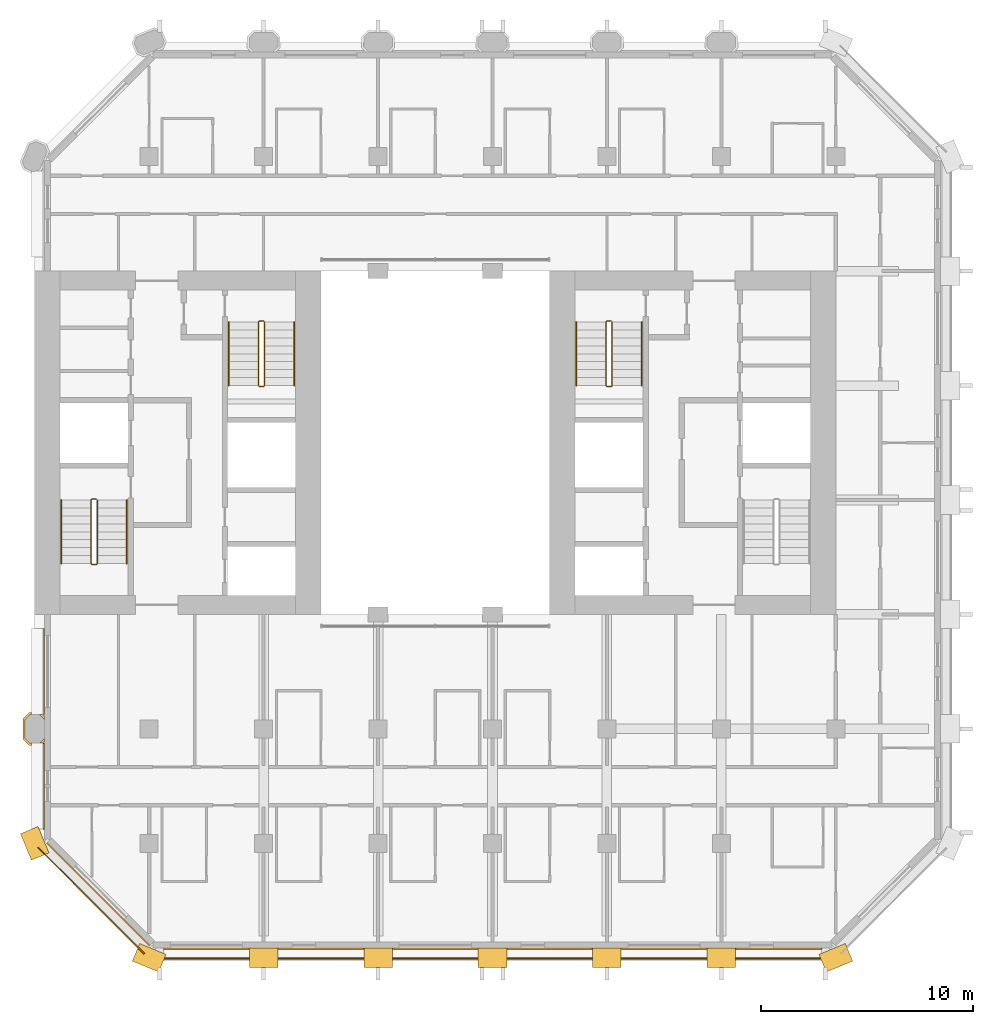
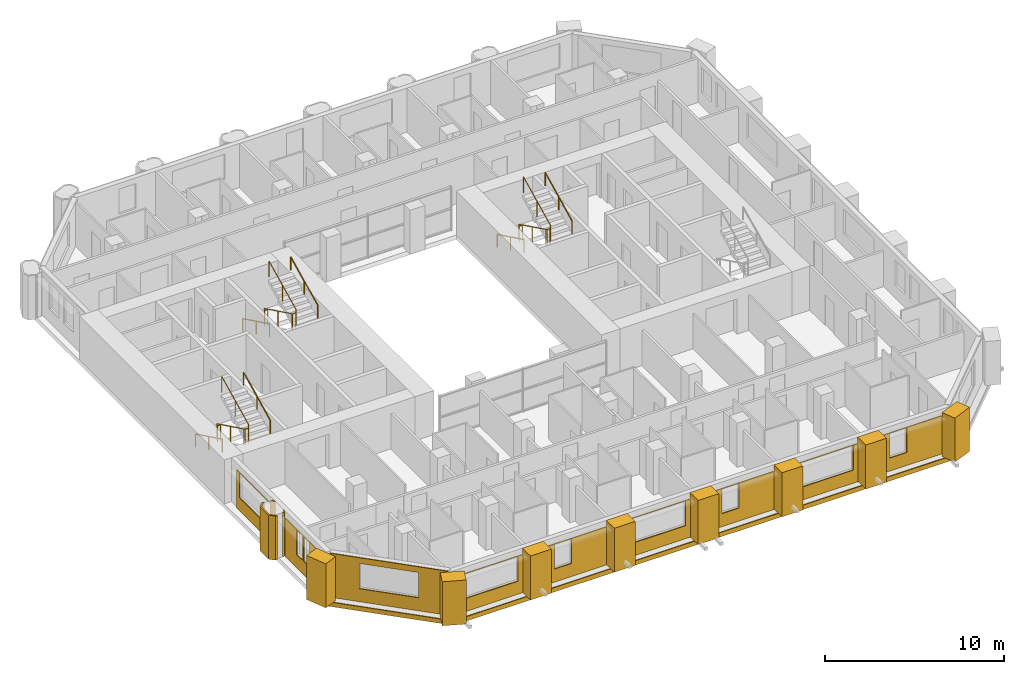
# One storey, part 12 of 13: 22 coverings, 9 railings.
"""IFC4 building model written with IfcOpenShell, lengths in metres."""

from ifc_helpers import new_model, si_unit, direction, frame, frame_2d, origin, origin_2d, place, context, subcontext, project, spatial, polyline, rectangle, circle, outline, extrude, material, layer, layer_set, type_object, element, save


model = new_model("IFC4")

# Units and contexts
model_context = context("Model", 3, precision=1e-05, world=origin(), true_north=direction((0.0, 1.0)))
body_context = subcontext(model_context, "Body", "Model", "MODEL_VIEW")
ifc_project = project(units=[si_unit("LENGTHUNIT", "METRE"), si_unit("AREAUNIT", "SQUARE_METRE"), si_unit("VOLUMEUNIT", "CUBIC_METRE"), si_unit("PLANEANGLEUNIT", "RADIAN"), si_unit("MASSUNIT", "GRAM", prefix="KILO")], contexts=[model_context])

# Site, building, storey
site_placement = place(None, origin())
site = spatial("IfcSite", under=ifc_project, at=site_placement, CompositionType="ELEMENT")
building_placement = place(site_placement, origin())
building = spatial("IfcBuilding", under=site, at=building_placement, Name="Tabaq Tower and Sports Hall", CompositionType="ELEMENT")
storey_placement = place(building_placement, frame((0.0, 0.0, 159.39990234375)))
storey = spatial("IfcBuildingStorey", under=building, at=storey_placement, Name="L37", CompositionType="ELEMENT", Elevation=159.39990234375)

# Coverings
ifc_material_1 = material(Name="Precast concrete C60/75", Category="concrete")
ifc_layer_1 = layer(ifc_material_1, 0.10009765625)
ifc_layer_set_1 = layer_set([ifc_layer_1], Name="Column cladding 100")
covering_type_1 = type_object("IfcCoveringType", Name="Column cladding 100", PredefinedType="CLADDING", material=ifc_layer_set_1)
covering_1_placement = place(storey_placement, origin())
element("IfcCovering", 1, at=covering_1_placement, inside=storey, type_object=covering_type_1, Name="Column cladding L37 PC-2C-H1", PredefinedType="CLADDING", context=body_context, shape_type="SweptSolid", body=[
    extrude(outline(polyline([(5.1337890625, 10.025390625), (4.850341796875, 10.30859375), (4.850341796875, 11.291259765625), (5.1337890625, 11.57470703125), (5.249755859375, 11.57470703125), (5.249755859375, 11.475341796875), (5.1748046875, 11.475341796875), (4.94970703125, 11.250244140625), (4.94970703125, 10.349853515625), (5.1748046875, 10.124755859375), (5.249755859375, 10.124755859375), (5.249755859375, 10.025390625), (5.1337890625, 10.025390625)])), origin(), (0.0, 0.0, 1.0), 3.0),
])
covering_2_placement = place(storey_placement, origin())
element("IfcCovering", 2, at=covering_2_placement, inside=storey, type_object=covering_type_1, Name="Column cladding L37 PC-2C-H1 2", PredefinedType="CLADDING", context=body_context, shape_type="SweptSolid", body=[
    extrude(outline(polyline([(5.766357421875, 10.125244140625), (5.625732421875, 10.125244140625), (5.849609375, 10.349365234375), (5.849609375, 10.208740234375), (5.766357421875, 10.125244140625)])), origin(), (0.0, 0.0, 1.0), 3.0),
])
covering_3_placement = place(storey_placement, origin())
element("IfcCovering", 3, at=covering_3_placement, inside=storey, type_object=covering_type_1, Name="Column cladding L37 PC-2C-H1 3", PredefinedType="CLADDING", context=body_context, shape_type="SweptSolid", body=[
    extrude(outline(polyline([(5.849609375, 11.391357421875), (5.849609375, 11.250732421875), (5.625732421875, 11.474609375), (5.766357421875, 11.474609375), (5.849609375, 11.391357421875)])), origin(), (0.0, 0.0, 1.0), 3.0),
])
ifc_material_2 = material(Name="Precast concrete C60/75", Category="concrete")
ifc_layer_2 = layer(ifc_material_2, 0.06005859375)
ifc_layer_set_2 = layer_set([ifc_layer_2], Name="Edge beam cladding 60")
covering_type_2 = type_object("IfcCoveringType", Name="Edge beam cladding 60", PredefinedType="CLADDING", material=ifc_layer_set_2)
covering_4_placement = place(storey_placement, frame((11.0986328125, -0.030029296875, -0.2998046875), z_axis=(0.0, 0.0, 1.0), x_axis=(1.0, 0.0, 0.0)))
element("IfcCovering", 4, at=covering_4_placement, inside=storey, type_object=covering_type_2, Name="Edge beam cladding L37 1", PredefinedType="CLADDING", context=body_context, shape_type="SweptSolid", body=[
    extrude(rectangle(XDim=31.802734375, YDim=0.06005859375, at=frame_2d((15.9013671875, 0.0))), origin(), (0.0, 0.0, 1.0), 0.2998046875),
])
covering_5_placement = place(storey_placement, frame((5.5556640625, 5.201904296875, -0.2998046875), z_axis=(0.0, 0.0, 1.0), x_axis=(0.707106781187, -0.707106781187, 0.0)))
element("IfcCovering", 5, at=covering_5_placement, inside=storey, type_object=covering_type_2, Name="Edge beam cladding L37 5", PredefinedType="CLADDING", context=body_context, shape_type="SweptSolid", body=[
    extrude(rectangle(XDim=7.087890625, YDim=0.06005859375, at=frame_2d((3.5439453125, 0.0))), origin(), (0.0, 0.0, 1.0), 0.2998046875),
])
ifc_material_3 = material(Name="White precast concrete C60/75", Category="concrete")
covering_type_3 = type_object("IfcCoveringType", Name="Pier cladding hung 1350x900", PredefinedType="CLADDING", material=ifc_material_3)
for number, where, z_axis, x_axis, name in (
    (6, (5.1416015625, 6.023681640625, 0.0), (0.0, 0.0, 1.0), (0.382649923473, -0.923893411637, 0.0), "Hung pier cladding 1/1"),
    (7, (10.17626953125, 0.25830078125, 0.0), (0.0, 0.0, 1.0), (0.923893411637, -0.382649923473, 0.0), "Hung pier cladding 2/0"),
    (8, (15.52490234375, 0.0, 0.0), (0.0, 0.0, 1.0), (1.0, 0.0, 0.0), "Hung pier cladding 3/0"),
):
    element("IfcCovering", number, at=place(storey_placement, frame(where, z_axis=z_axis, x_axis=x_axis)), inside=storey, type_object=covering_type_3, Name=name, PredefinedType="CLADDING", context=body_context, shape_type="SweptSolid", body=[
        extrude(rectangle(XDim=1.35009765625, YDim=0.89990234375, at=frame_2d((0.675048828125, 0.0))), origin(), (0.0, 0.0, 1.0), 3.0),
    ])
covering_6_placement = place(storey_placement, frame((20.925048828125, 0.0, 0.0), z_axis=(0.0, 0.0, 1.0), x_axis=(1.0, 0.0, 0.0)))
element("IfcCovering", 9, at=covering_6_placement, inside=storey, type_object=covering_type_3, Name="Hung pier cladding 4/0", PredefinedType="CLADDING", context=body_context, shape_type="SweptSolid", body=[
    extrude(rectangle(XDim=1.349853515625, YDim=0.89990234375, at=frame_2d((0.6748046875, 0.0))), origin(), (0.0, 0.0, 1.0), 3.0),
])
covering_7_placement = place(storey_placement, frame((26.324951171875, 0.0, 0.0), z_axis=(0.0, 0.0, 1.0), x_axis=(1.0, 0.0, 0.0)))
element("IfcCovering", 10, at=covering_7_placement, inside=storey, type_object=covering_type_3, Name="Hung pier cladding 5/0", PredefinedType="CLADDING", context=body_context, shape_type="SweptSolid", body=[
    extrude(rectangle(XDim=1.35009765625, YDim=0.89990234375, at=frame_2d((0.675048828125, 0.0))), origin(), (0.0, 0.0, 1.0), 3.0),
])
covering_8_placement = place(storey_placement, frame((31.72509765625, 0.0, 0.0), z_axis=(0.0, 0.0, 1.0), x_axis=(1.0, 0.0, 0.0)))
element("IfcCovering", 11, at=covering_8_placement, inside=storey, type_object=covering_type_3, Name="Hung pier cladding 6/0", PredefinedType="CLADDING", context=body_context, shape_type="SweptSolid", body=[
    extrude(rectangle(XDim=1.349853515625, YDim=0.89990234375, at=frame_2d((0.6748046875, 0.0))), origin(), (0.0, 0.0, 1.0), 3.0),
])
for number, where, z_axis, x_axis, name in (
    (12, (37.125, 0.0, 0.0), (0.0, 0.0, 1.0), (1.0, 0.0, 0.0), "Hung pier cladding 7/0"),
    (13, (42.576416015625, -0.25830078125, 0.0), (0.0, 0.0, 1.0), (0.923893411637, 0.382649923473, 0.0), "Hung pier cladding 8/0"),
):
    element("IfcCovering", number, at=place(storey_placement, frame(where, z_axis=z_axis, x_axis=x_axis)), inside=storey, type_object=covering_type_3, Name=name, PredefinedType="CLADDING", context=body_context, shape_type="SweptSolid", body=[
        extrude(rectangle(XDim=1.35009765625, YDim=0.89990234375, at=frame_2d((0.675048828125, 0.0))), origin(), (0.0, 0.0, 1.0), 3.0),
    ])

# Railings
ifc_material_4 = material(Name="Stainless steel", Category="steel")
railing_type_1 = type_object("IfcRailingType", Name="Stair guard", PredefinedType="GUARDRAIL", material=ifc_material_4)
railing_1_placement = place(storey_placement, frame((8.300048828125, 21.64990234375, 0.0)))
element("IfcRailing", 14, at=railing_1_placement, inside=storey, type_object=railing_type_1, Name="L37 ST1 stair guard 1", PredefinedType="GUARDRAIL", context=body_context, shape_type="SweptSolid", body=[
    extrude(circle(Radius=0.02392578125, at=origin_2d()), frame((0.0, 0.0, 1.076171875), z_axis=(-1.0, 0.0, 0.0), x_axis=(0.0, -1.0, 0.0)), (0.0, 0.0, 1.0), 0.199951171875),
    extrude(circle(Radius=0.02392578125, at=origin_2d()), frame((-0.199951171875, 0.0, 1.076171875), z_axis=(-0.254733673405, -0.25349107012, 0.933195066962), x_axis=(0.705375805398, -0.708833529934, 0.0)), (0.0, 0.0, 1.0), 0.196533203125),
    extrude(circle(Radius=0.02392578125, at=origin_2d()), frame((-0.25, -0.0498046875, 1.25927734375), z_axis=(0.0, -0.898368975038, 0.439241601728), x_axis=(1.0, 0.0, 0.0)), (0.0, 0.0, 1.0), 3.33935546875),
    extrude(circle(Radius=0.02392578125, at=origin_2d()), frame((-0.25, -3.0498046875, 2.72607421875), z_axis=(0.707106781187, -0.707106781187, 0.0), x_axis=(0.707106781187, 0.707106781187, 0.0)), (0.0, 0.0, 1.0), 0.07080078125),
    extrude(circle(Radius=0.02392578125, at=origin_2d()), frame((-0.199951171875, -3.099853515625, 2.72607421875), z_axis=(1.0, 0.0, 0.0), x_axis=(0.0, 1.0, 0.0)), (0.0, 0.0, 1.0), 0.199951171875),
    extrude(circle(Radius=0.02392578125, at=origin_2d()), frame((0.0, -3.099853515625, 2.72607421875), z_axis=(0.254653276557, 0.254653276557, 0.932900539971), x_axis=(-0.707106781187, 0.707106781187, 0.0)), (0.0, 0.0, 1.0), 0.196533203125),
    extrude(circle(Radius=0.02392578125, at=origin_2d()), frame((0.050048828125, -3.0498046875, 2.90966796875), z_axis=(0.0, 0.898397823093, 0.439182594671), x_axis=(-1.0, 0.0, 0.0)), (0.0, 0.0, 1.0), 3.33935546875),
    extrude(circle(Radius=0.02099609375, at=origin_2d()), origin(), (0.0, 0.0, 1.0), 1.052001953125),
    extrude(circle(Radius=0.02099609375, at=origin_2d()), frame((-0.199951171875, 0.0, 0.0)), (0.0, 0.0, 1.0), 1.052001953125),
    extrude(circle(Radius=0.02099609375, at=origin_2d()), frame((-0.25, -0.0498046875, 0.183349609375)), (0.0, 0.0, 1.0), 1.052001953125),
    extrude(circle(Radius=0.02099609375, at=origin_2d()), frame((-0.25, -1.5498046875, 0.916748046875)), (0.0, 0.0, 1.0), 1.052001953125),
    extrude(circle(Radius=0.02099609375, at=origin_2d()), frame((-0.25, -3.0498046875, 1.650146484375)), (0.0, 0.0, 1.0), 1.052001953125),
    extrude(circle(Radius=0.02099609375, at=origin_2d()), frame((-0.199951171875, -3.099853515625, 1.650146484375)), (0.0, 0.0, 1.0), 1.052001953125),
    extrude(circle(Radius=0.02099609375, at=origin_2d()), frame((0.0, -3.099853515625, 1.650146484375)), (0.0, 0.0, 1.0), 1.052001953125),
    extrude(circle(Radius=0.02099609375, at=origin_2d()), frame((0.050048828125, -3.0498046875, 1.83349609375)), (0.0, 0.0, 1.0), 1.052001953125),
    extrude(circle(Radius=0.02099609375, at=origin_2d()), frame((0.050048828125, -1.5498046875, 2.56689453125)), (0.0, 0.0, 1.0), 1.052001953125),
    extrude(circle(Radius=0.02099609375, at=origin_2d()), frame((0.050048828125, -0.0498046875, 3.300048828125)), (0.0, 0.0, 1.0), 1.052001953125),
])
railing_2_placement = place(storey_placement, frame((16.199951171875, 30.050048828125, 0.0)))
element("IfcRailing", 15, at=railing_2_placement, inside=storey, type_object=railing_type_1, Name="L37 ST2 stair guard 1", PredefinedType="GUARDRAIL", context=body_context, shape_type="SweptSolid", body=[
    extrude(circle(Radius=0.02392578125, at=origin_2d()), frame((0.0, 0.0, 1.076171875), z_axis=(-1.0, 0.0, 0.0), x_axis=(0.0, -1.0, 0.0)), (0.0, 0.0, 1.0), 0.199951171875),
    extrude(circle(Radius=0.02392578125, at=origin_2d()), frame((-0.199951171875, 0.0, 1.076171875), z_axis=(-0.254653276557, -0.254653276557, 0.932900539971), x_axis=(0.707106781187, -0.707106781187, 0.0)), (0.0, 0.0, 1.0), 0.196533203125),
    extrude(circle(Radius=0.02392578125, at=origin_2d()), frame((-0.25, -0.050048828125, 1.25927734375), z_axis=(0.0, -0.898368975038, 0.439241601728), x_axis=(1.0, 0.0, 0.0)), (0.0, 0.0, 1.0), 3.33935546875),
    extrude(circle(Radius=0.02392578125, at=origin_2d()), frame((-0.25, -3.050048828125, 2.72607421875), z_axis=(0.707106781187, -0.707106781187, 0.0), x_axis=(0.707106781187, 0.707106781187, 0.0)), (0.0, 0.0, 1.0), 0.07080078125),
    extrude(circle(Radius=0.02392578125, at=origin_2d()), frame((-0.199951171875, -3.10009765625, 2.72607421875), z_axis=(1.0, 0.0, 0.0), x_axis=(0.0, 1.0, 0.0)), (0.0, 0.0, 1.0), 0.199951171875),
    extrude(circle(Radius=0.02392578125, at=origin_2d()), frame((0.0, -3.10009765625, 2.72607421875), z_axis=(0.254653276557, 0.254653276557, 0.932900539971), x_axis=(-0.707106781187, 0.707106781187, 0.0)), (0.0, 0.0, 1.0), 0.196533203125),
    extrude(circle(Radius=0.02392578125, at=origin_2d()), frame((0.050048828125, -3.050048828125, 2.90966796875), z_axis=(0.0, 0.898397823093, 0.439182594671), x_axis=(-1.0, 0.0, 0.0)), (0.0, 0.0, 1.0), 3.33935546875),
    extrude(circle(Radius=0.02099609375, at=origin_2d()), origin(), (0.0, 0.0, 1.0), 1.052001953125),
    extrude(circle(Radius=0.02099609375, at=origin_2d()), frame((-0.199951171875, 0.0, 0.0)), (0.0, 0.0, 1.0), 1.052001953125),
    extrude(circle(Radius=0.02099609375, at=origin_2d()), frame((-0.25, -0.050048828125, 0.183349609375)), (0.0, 0.0, 1.0), 1.052001953125),
    extrude(circle(Radius=0.02099609375, at=origin_2d()), frame((-0.25, -1.550048828125, 0.916748046875)), (0.0, 0.0, 1.0), 1.052001953125),
    extrude(circle(Radius=0.02099609375, at=origin_2d()), frame((-0.25, -3.050048828125, 1.650146484375)), (0.0, 0.0, 1.0), 1.052001953125),
    extrude(circle(Radius=0.02099609375, at=origin_2d()), frame((-0.199951171875, -3.10009765625, 1.650146484375)), (0.0, 0.0, 1.0), 1.052001953125),
    extrude(circle(Radius=0.02099609375, at=origin_2d()), frame((0.0, -3.10009765625, 1.650146484375)), (0.0, 0.0, 1.0), 1.052001953125),
    extrude(circle(Radius=0.02099609375, at=origin_2d()), frame((0.050048828125, -3.050048828125, 1.83349609375)), (0.0, 0.0, 1.0), 1.052001953125),
    extrude(circle(Radius=0.02099609375, at=origin_2d()), frame((0.050048828125, -1.550048828125, 2.56689453125)), (0.0, 0.0, 1.0), 1.052001953125),
    extrude(circle(Radius=0.02099609375, at=origin_2d()), frame((0.050048828125, -0.050048828125, 3.300048828125)), (0.0, 0.0, 1.0), 1.052001953125),
])
railing_3_placement = place(storey_placement, frame((32.60009765625, 30.050048828125, 0.0)))
element("IfcRailing", 16, at=railing_3_placement, inside=storey, type_object=railing_type_1, Name="L37 ST4 stair guard 1", PredefinedType="GUARDRAIL", context=body_context, shape_type="SweptSolid", body=[
    extrude(circle(Radius=0.02392578125, at=origin_2d()), frame((0.0, 0.0, 1.076171875), z_axis=(-1.0, 0.0, 0.0), x_axis=(0.0, -1.0, 0.0)), (0.0, 0.0, 1.0), 0.2001953125),
    extrude(circle(Radius=0.02392578125, at=origin_2d()), frame((-0.2001953125, 0.0, 1.076171875), z_axis=(-0.25349107012, -0.254733673405, 0.933195066962), x_axis=(0.708833529934, -0.705375805398, 0.0)), (0.0, 0.0, 1.0), 0.196533203125),
    extrude(circle(Radius=0.02392578125, at=origin_2d()), frame((-0.25, -0.050048828125, 1.25927734375), z_axis=(0.0, -0.898368975038, 0.439241601728), x_axis=(1.0, 0.0, 0.0)), (0.0, 0.0, 1.0), 3.33935546875),
    extrude(circle(Radius=0.02392578125, at=origin_2d()), frame((-0.25, -3.050048828125, 2.72607421875), z_axis=(0.705375805398, -0.708833529934, 0.0), x_axis=(0.708833529934, 0.705375805398, 0.0)), (0.0, 0.0, 1.0), 0.070556640625),
    extrude(circle(Radius=0.02392578125, at=origin_2d()), frame((-0.2001953125, -3.10009765625, 2.72607421875), z_axis=(1.0, 0.0, 0.0), x_axis=(0.0, 1.0, 0.0)), (0.0, 0.0, 1.0), 0.2001953125),
    extrude(circle(Radius=0.02392578125, at=origin_2d()), frame((0.0, -3.10009765625, 2.72607421875), z_axis=(0.25349107012, 0.254733673405, 0.933195066962), x_axis=(-0.708833529934, 0.705375805398, 0.0)), (0.0, 0.0, 1.0), 0.196533203125),
    extrude(circle(Radius=0.02392578125, at=origin_2d()), frame((0.0498046875, -3.050048828125, 2.90966796875), z_axis=(0.0, 0.898397823093, 0.439182594671), x_axis=(-1.0, 0.0, 0.0)), (0.0, 0.0, 1.0), 3.33935546875),
    extrude(circle(Radius=0.02099609375, at=origin_2d()), origin(), (0.0, 0.0, 1.0), 1.052001953125),
    extrude(circle(Radius=0.02099609375, at=origin_2d()), frame((-0.2001953125, 0.0, 0.0)), (0.0, 0.0, 1.0), 1.052001953125),
    extrude(circle(Radius=0.02099609375, at=origin_2d()), frame((-0.25, -0.050048828125, 0.183349609375)), (0.0, 0.0, 1.0), 1.052001953125),
    extrude(circle(Radius=0.02099609375, at=origin_2d()), frame((-0.25, -1.550048828125, 0.916748046875)), (0.0, 0.0, 1.0), 1.052001953125),
    extrude(circle(Radius=0.02099609375, at=origin_2d()), frame((-0.25, -3.050048828125, 1.650146484375)), (0.0, 0.0, 1.0), 1.052001953125),
    extrude(circle(Radius=0.02099609375, at=origin_2d()), frame((-0.2001953125, -3.10009765625, 1.650146484375)), (0.0, 0.0, 1.0), 1.052001953125),
    extrude(circle(Radius=0.02099609375, at=origin_2d()), frame((0.0, -3.10009765625, 1.650146484375)), (0.0, 0.0, 1.0), 1.052001953125),
    extrude(circle(Radius=0.02099609375, at=origin_2d()), frame((0.0498046875, -3.050048828125, 1.83349609375)), (0.0, 0.0, 1.0), 1.052001953125),
    extrude(circle(Radius=0.02099609375, at=origin_2d()), frame((0.0498046875, -1.550048828125, 2.56689453125)), (0.0, 0.0, 1.0), 1.052001953125),
    extrude(circle(Radius=0.02099609375, at=origin_2d()), frame((0.0498046875, -0.050048828125, 3.300048828125)), (0.0, 0.0, 1.0), 1.052001953125),
])
ifc_material_5 = material(Name="Stainless steel", Category="steel")
railing_type_2 = type_object("IfcRailingType", Name="Stair handrail", PredefinedType="HANDRAIL", material=ifc_material_5)
railing_4_placement = place(storey_placement, frame((6.64990234375, 21.60009765625, 0.183349609375)))
element("IfcRailing", 17, at=railing_4_placement, inside=storey, type_object=railing_type_2, Name="L37 ST1 stair handrail 1", PredefinedType="HANDRAIL", context=body_context, shape_type="SweptSolid", body=[
    extrude(circle(Radius=0.02392578125, at=origin_2d()), frame((0.0, 0.0, 0.8759765625), z_axis=(0.0, -0.898368975038, 0.439241601728), x_axis=(1.0, 0.0, 0.0)), (0.0, 0.0, 1.0), 3.33935546875),
    extrude(circle(Radius=0.02099609375, at=origin_2d()), origin(), (0.0, 0.0, 1.0), 0.851806640625),
    extrude(circle(Radius=0.02099609375, at=origin_2d()), frame((0.0, -1.5, 0.7333984375)), (0.0, 0.0, 1.0), 0.851806640625),
    extrude(circle(Radius=0.02099609375, at=origin_2d()), frame((0.0, -3.0, 1.466796875)), (0.0, 0.0, 1.0), 0.851806640625),
])
railing_5_placement = place(storey_placement, frame((9.75, 18.60009765625, 1.83349609375)))
element("IfcRailing", 18, at=railing_5_placement, inside=storey, type_object=railing_type_2, Name="L37 ST1 stair handrail 2", PredefinedType="HANDRAIL", context=body_context, shape_type="SweptSolid", body=[
    extrude(circle(Radius=0.02392578125, at=origin_2d()), frame((0.0, 0.0, 0.8759765625), z_axis=(0.0, 0.898397823093, 0.439182594671), x_axis=(-1.0, 0.0, 0.0)), (0.0, 0.0, 1.0), 3.33935546875),
    extrude(circle(Radius=0.02099609375, at=origin_2d()), origin(), (0.0, 0.0, 1.0), 0.851806640625),
    extrude(circle(Radius=0.02099609375, at=origin_2d()), frame((0.0, 1.5, 0.7333984375)), (0.0, 0.0, 1.0), 0.851806640625),
    extrude(circle(Radius=0.02099609375, at=origin_2d()), frame((0.0, 3.0, 1.466552734375)), (0.0, 0.0, 1.0), 0.851806640625),
])
railing_6_placement = place(storey_placement, frame((14.550048828125, 30.0, 0.183349609375)))
element("IfcRailing", 19, at=railing_6_placement, inside=storey, type_object=railing_type_2, Name="L37 ST2 stair handrail 1", PredefinedType="HANDRAIL", context=body_context, shape_type="SweptSolid", body=[
    extrude(circle(Radius=0.02392578125, at=origin_2d()), frame((0.0, 0.0, 0.8759765625), z_axis=(0.0, -0.898368975038, 0.439241601728), x_axis=(1.0, 0.0, 0.0)), (0.0, 0.0, 1.0), 3.33935546875),
    extrude(circle(Radius=0.02099609375, at=origin_2d()), origin(), (0.0, 0.0, 1.0), 0.851806640625),
    extrude(circle(Radius=0.02099609375, at=origin_2d()), frame((0.0, -1.5, 0.7333984375)), (0.0, 0.0, 1.0), 0.851806640625),
    extrude(circle(Radius=0.02099609375, at=origin_2d()), frame((0.0, -3.0, 1.466796875)), (0.0, 0.0, 1.0), 0.851806640625),
])
railing_7_placement = place(storey_placement, frame((17.64990234375, 27.0, 1.83349609375)))
element("IfcRailing", 20, at=railing_7_placement, inside=storey, type_object=railing_type_2, Name="L37 ST2 stair handrail 2", PredefinedType="HANDRAIL", context=body_context, shape_type="SweptSolid", body=[
    extrude(circle(Radius=0.02392578125, at=origin_2d()), frame((0.0, 0.0, 0.8759765625), z_axis=(0.0, 0.898397823093, 0.439182594671), x_axis=(-1.0, 0.0, 0.0)), (0.0, 0.0, 1.0), 3.33935546875),
    extrude(circle(Radius=0.02099609375, at=origin_2d()), origin(), (0.0, 0.0, 1.0), 0.851806640625),
    extrude(circle(Radius=0.02099609375, at=origin_2d()), frame((0.0, 1.5, 0.7333984375)), (0.0, 0.0, 1.0), 0.851806640625),
    extrude(circle(Radius=0.02099609375, at=origin_2d()), frame((0.0, 3.0, 1.466552734375)), (0.0, 0.0, 1.0), 0.851806640625),
])
railing_8_placement = place(storey_placement, frame((30.949951171875, 30.0, 0.183349609375)))
element("IfcRailing", 21, at=railing_8_placement, inside=storey, type_object=railing_type_2, Name="L37 ST4 stair handrail 1", PredefinedType="HANDRAIL", context=body_context, shape_type="SweptSolid", body=[
    extrude(circle(Radius=0.02392578125, at=origin_2d()), frame((0.0, 0.0, 0.8759765625), z_axis=(0.0, -0.898368975038, 0.439241601728), x_axis=(1.0, 0.0, 0.0)), (0.0, 0.0, 1.0), 3.33935546875),
    extrude(circle(Radius=0.02099609375, at=origin_2d()), origin(), (0.0, 0.0, 1.0), 0.851806640625),
    extrude(circle(Radius=0.02099609375, at=origin_2d()), frame((0.0, -1.5, 0.7333984375)), (0.0, 0.0, 1.0), 0.851806640625),
    extrude(circle(Radius=0.02099609375, at=origin_2d()), frame((0.0, -3.0, 1.466796875)), (0.0, 0.0, 1.0), 0.851806640625),
])
railing_9_placement = place(storey_placement, frame((34.050048828125, 27.0, 1.83349609375)))
element("IfcRailing", 22, at=railing_9_placement, inside=storey, type_object=railing_type_2, Name="L37 ST4 stair handrail 2", PredefinedType="HANDRAIL", context=body_context, shape_type="SweptSolid", body=[
    extrude(circle(Radius=0.02392578125, at=origin_2d()), frame((0.0, 0.0, 0.8759765625), z_axis=(0.0, 0.898397823093, 0.439182594671), x_axis=(-1.0, 0.0, 0.0)), (0.0, 0.0, 1.0), 3.33935546875),
    extrude(circle(Radius=0.02099609375, at=origin_2d()), origin(), (0.0, 0.0, 1.0), 0.851806640625),
    extrude(circle(Radius=0.02099609375, at=origin_2d()), frame((0.0, 1.5, 0.7333984375)), (0.0, 0.0, 1.0), 0.851806640625),
    extrude(circle(Radius=0.02099609375, at=origin_2d()), frame((0.0, 3.0, 1.466552734375)), (0.0, 0.0, 1.0), 0.851806640625),
])

# Coverings
ifc_material_6 = material(Name="Precast concrete C60/75", Category="concrete")
ifc_layer_3 = layer(ifc_material_6, 0.06005859375)
ifc_layer_set_3 = layer_set([ifc_layer_3], Name="White precast cladding panel 60 C60/75")
covering_type_4 = type_object("IfcCoveringType", Name="White precast cladding panel 60 C60/75", PredefinedType="CLADDING", material=ifc_layer_set_3)
covering_9_placement = place(storey_placement, frame((11.465087890625, 0.419921875, 0.0), z_axis=(0.0, 0.0, 1.0), x_axis=(1.0, 0.0, 0.0)))
element("IfcCovering", 23, at=covering_9_placement, inside=storey, type_object=covering_type_4, Name="White precast cladding panel L37 wall00", PredefinedType="CLADDING", context=body_context, shape_type="SweptSolid", body=[
    extrude(outline(polyline([(0.0, 0.0), (4.0498046875, 0.0), (4.0498046875, 2.590087890625), (0.0, 2.590087890625), (0.0, 0.0)]), holes=[polyline([(3.7451171875, 0.89013671875), (0.324951171875, 0.89013671875), (0.324951171875, 2.56005859375), (3.7451171875, 2.56005859375), (3.7451171875, 0.89013671875)])]), frame((0.0, 0.030029296875, 0.0), z_axis=(0.0, -1.0, 0.0), x_axis=(1.0, 0.0, 0.0)), (0.0, 0.0, 1.0), 0.06005859375),
])
covering_10_placement = place(storey_placement, frame((16.885009765625, 0.419921875, 0.0), z_axis=(0.0, 0.0, 1.0), x_axis=(1.0, 0.0, 0.0)))
element("IfcCovering", 24, at=covering_10_placement, inside=storey, type_object=covering_type_4, Name="White precast cladding panel L37 wall00 2", PredefinedType="CLADDING", context=body_context, shape_type="SweptSolid", body=[
    extrude(outline(polyline([(0.0, 0.0), (4.030029296875, 0.0), (4.030029296875, 2.590087890625), (0.0, 2.590087890625), (0.0, 0.0)]), holes=[polyline([(1.77490234375, 0.89013671875), (0.655029296875, 0.89013671875), (0.655029296875, 2.56005859375), (1.77490234375, 2.56005859375), (1.77490234375, 0.89013671875)])]), frame((0.0, 0.030029296875, 0.0), z_axis=(0.0, -1.0, 0.0), x_axis=(1.0, 0.0, 0.0)), (0.0, 0.0, 1.0), 0.06005859375),
])
covering_11_placement = place(storey_placement, frame((22.284912109375, 0.419921875, 0.0), z_axis=(0.0, 0.0, 1.0), x_axis=(1.0, 0.0, 0.0)))
element("IfcCovering", 25, at=covering_11_placement, inside=storey, type_object=covering_type_4, Name="White precast cladding panel L37 wall00 3", PredefinedType="CLADDING", context=body_context, shape_type="SweptSolid", body=[
    extrude(outline(polyline([(0.0, 0.0), (4.030029296875, 0.0), (4.030029296875, 2.590087890625), (0.0, 2.590087890625), (0.0, 0.0)]), holes=[polyline([(3.72509765625, 0.89013671875), (0.304931640625, 0.89013671875), (0.304931640625, 2.56005859375), (3.72509765625, 2.56005859375), (3.72509765625, 0.89013671875)])]), frame((0.0, 0.030029296875, 0.0), z_axis=(0.0, -1.0, 0.0), x_axis=(1.0, 0.0, 0.0)), (0.0, 0.0, 1.0), 0.06005859375),
])
covering_12_placement = place(storey_placement, frame((27.68505859375, 0.419921875, 0.0), z_axis=(0.0, 0.0, 1.0), x_axis=(1.0, 0.0, 0.0)))
element("IfcCovering", 26, at=covering_12_placement, inside=storey, type_object=covering_type_4, Name="White precast cladding panel L37 wall00 4", PredefinedType="CLADDING", context=body_context, shape_type="SweptSolid", body=[
    extrude(outline(polyline([(0.0, 0.0), (4.030029296875, 0.0), (4.030029296875, 2.590087890625), (0.0, 2.590087890625), (0.0, 0.0)]), holes=[polyline([(1.77490234375, 0.89013671875), (0.655029296875, 0.89013671875), (0.655029296875, 2.56005859375), (1.77490234375, 2.56005859375), (1.77490234375, 0.89013671875)])]), frame((0.0, 0.030029296875, 0.0), z_axis=(0.0, -1.0, 0.0), x_axis=(1.0, 0.0, 0.0)), (0.0, 0.0, 1.0), 0.06005859375),
])
covering_13_placement = place(storey_placement, frame((33.0849609375, 0.419921875, 0.0), z_axis=(0.0, 0.0, 1.0), x_axis=(1.0, 0.0, 0.0)))
element("IfcCovering", 27, at=covering_13_placement, inside=storey, type_object=covering_type_4, Name="White precast cladding panel L37 wall00 5", PredefinedType="CLADDING", context=body_context, shape_type="SweptSolid", body=[
    extrude(outline(polyline([(0.0, 0.0), (4.030029296875, 0.0), (4.030029296875, 2.590087890625), (0.0, 2.590087890625), (0.0, 0.0)]), holes=[polyline([(3.72509765625, 0.89013671875), (0.304931640625, 0.89013671875), (0.304931640625, 2.56005859375), (3.72509765625, 2.56005859375), (3.72509765625, 0.89013671875)])]), frame((0.0, 0.030029296875, 0.0), z_axis=(0.0, -1.0, 0.0), x_axis=(1.0, 0.0, 0.0)), (0.0, 0.0, 1.0), 0.06005859375),
])
covering_14_placement = place(storey_placement, frame((38.485107421875, 0.419921875, 0.0), z_axis=(0.0, 0.0, 1.0), x_axis=(1.0, 0.0, 0.0)))
element("IfcCovering", 28, at=covering_14_placement, inside=storey, type_object=covering_type_4, Name="White precast cladding panel L37 wall00 6", PredefinedType="CLADDING", context=body_context, shape_type="SweptSolid", body=[
    extrude(outline(polyline([(0.0, 0.0), (4.0498046875, 0.0), (4.0498046875, 2.590087890625), (0.0, 2.590087890625), (0.0, 0.0)]), holes=[polyline([(1.77490234375, 0.89013671875), (0.655029296875, 0.89013671875), (0.655029296875, 2.56005859375), (1.77490234375, 2.56005859375), (1.77490234375, 0.89013671875)])]), frame((0.0, 0.030029296875, 0.0), z_axis=(0.0, -1.0, 0.0), x_axis=(1.0, 0.0, 0.0)), (0.0, 0.0, 1.0), 0.06005859375),
])
covering_15_placement = place(storey_placement, frame((5.820068359375, 15.534912109375, 0.0), z_axis=(0.0, 0.0, 1.0), x_axis=(0.0, -1.0, 0.0)))
element("IfcCovering", 29, at=covering_15_placement, inside=storey, type_object=covering_type_4, Name="White precast cladding panel L37 wall06-1", PredefinedType="CLADDING", context=body_context, shape_type="SweptSolid", body=[
    extrude(outline(polyline([(0.0, 0.0), (4.0498046875, 0.0), (4.0498046875, 2.590087890625), (0.0, 2.590087890625), (0.0, 0.0)]), holes=[polyline([(3.7451171875, 0.89013671875), (0.324951171875, 0.89013671875), (0.324951171875, 2.56005859375), (3.7451171875, 2.56005859375), (3.7451171875, 0.89013671875)])]), frame((0.0, 0.030029296875, 0.0), z_axis=(0.0, -1.0, 0.0), x_axis=(1.0, 0.0, 0.0)), (0.0, 0.0, 1.0), 0.06005859375),
])
covering_16_placement = place(storey_placement, frame((5.820068359375, 10.114990234375, 0.0), z_axis=(0.0, 0.0, 1.0), x_axis=(0.0, -1.0, 0.0)))
element("IfcCovering", 30, at=covering_16_placement, inside=storey, type_object=covering_type_4, Name="White precast cladding panel L37 wall06-1 2", PredefinedType="CLADDING", context=body_context, shape_type="SweptSolid", body=[
    extrude(outline(polyline([(0.0, 0.0), (4.050048828125, 0.0), (4.050048828125, 2.590087890625), (0.0, 2.590087890625), (0.0, 0.0)]), holes=[polyline([(1.280029296875, 0.89013671875), (1.280029296875, 2.56005859375), (1.949951171875, 2.56005859375), (1.949951171875, 0.89013671875), (1.280029296875, 0.89013671875)]), polyline([(2.080078125, 0.89013671875), (2.080078125, 2.56005859375), (2.75, 2.56005859375), (2.75, 0.89013671875), (2.080078125, 0.89013671875)])]), frame((0.0, 0.030029296875, 0.0), z_axis=(0.0, -1.0, 0.0), x_axis=(1.0, 0.0, 0.0)), (0.0, 0.0, 1.0), 0.06005859375),
])
covering_17_placement = place(storey_placement, frame((5.9716796875, 5.42236328125, 0.0), z_axis=(0.0, 0.0, 1.0), x_axis=(0.707106781187, -0.707106781187, 0.0)))
element("IfcCovering", 31, at=covering_17_placement, inside=storey, type_object=covering_type_4, Name="White precast cladding panel L37 wall07", PredefinedType="CLADDING", context=body_context, shape_type="SweptSolid", body=[
    extrude(outline(polyline([(0.0, 0.0), (6.85986328125, 0.0), (6.85986328125, 3.0), (0.0, 3.0), (0.0, 0.0)]), holes=[polyline([(1.7197265625, 0.89013671875), (1.7197265625, 2.610107421875), (5.139892578125, 2.610107421875), (5.139892578125, 0.89013671875), (1.7197265625, 0.89013671875)])]), frame((0.0, 0.030029296875, 0.0), z_axis=(0.0, -1.0, 0.0), x_axis=(1.0, 0.0, 0.0)), (0.0, 0.0, 1.0), 0.06005859375),
])

save(model, "model.ifc")
